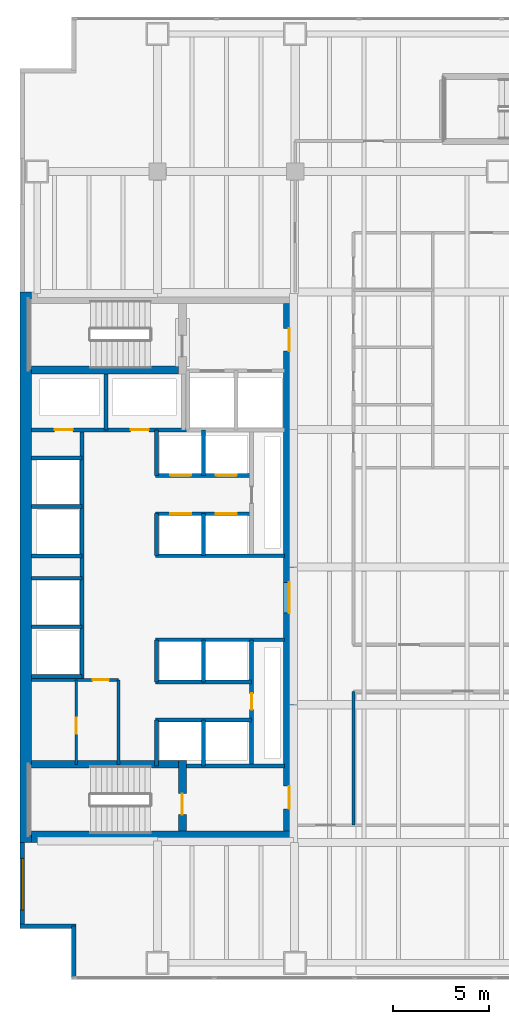
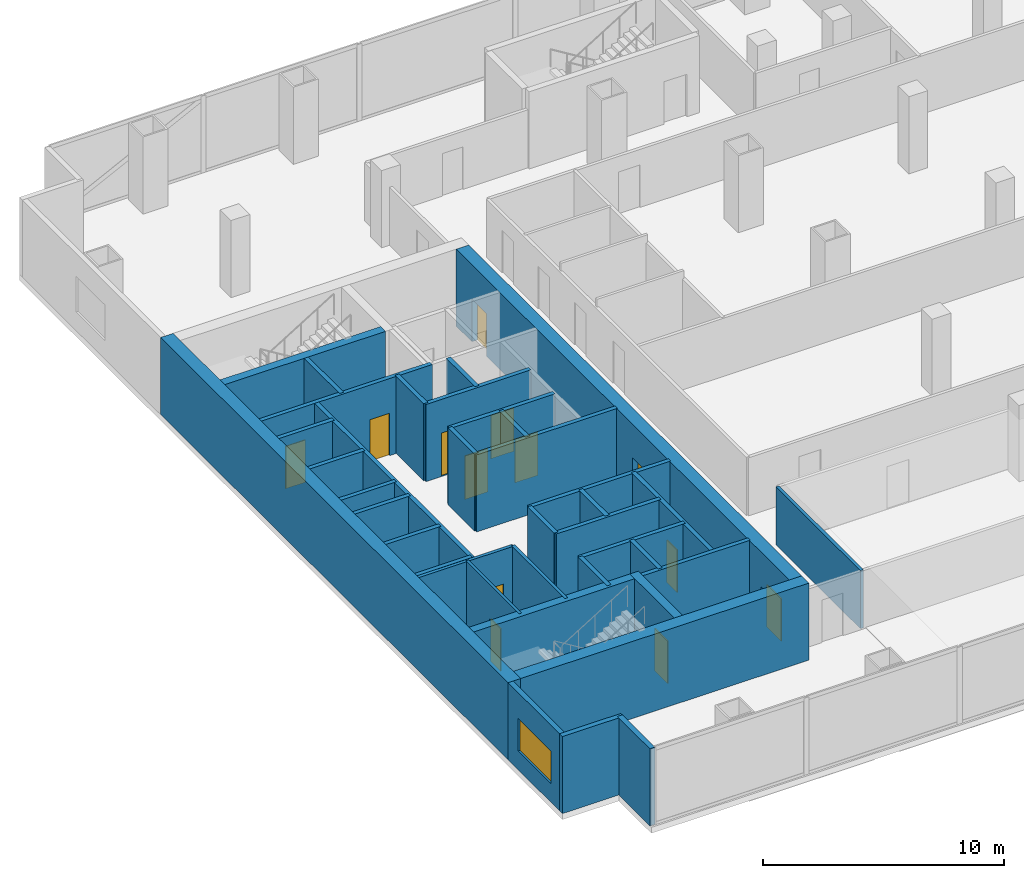
# One storey, part 26 of 34: 38 walls, 13 doors, 1 window, 14 openings.
"""IFC4 building model written with IfcOpenShell, lengths in metres."""

from ifc_helpers import new_model, si_unit, direction, frame, frame_2d, origin, place, context, subcontext, project, spatial, rectangle, extrude, material, layer, layer_set, type_object, element, fill, save


model = new_model("IFC4")

# Units and contexts
model_context = context("Model", 3, precision=1e-05, world=origin(), true_north=direction((0.0, 1.0)))
body_context = subcontext(model_context, "Body", "Model", "MODEL_VIEW")
ifc_project = project(units=[si_unit("LENGTHUNIT", "METRE"), si_unit("AREAUNIT", "SQUARE_METRE"), si_unit("VOLUMEUNIT", "CUBIC_METRE"), si_unit("PLANEANGLEUNIT", "RADIAN"), si_unit("MASSUNIT", "GRAM", prefix="KILO")], contexts=[model_context])

# Site, building, storey
site_placement = place(None, origin())
site = spatial("IfcSite", under=ifc_project, at=site_placement, CompositionType="ELEMENT")
building_placement = place(site_placement, origin())
building = spatial("IfcBuilding", under=site, at=building_placement, Name="Cobrela Telecom Tower", CompositionType="ELEMENT")
storey_placement = place(building_placement, frame((0.0, 0.0, 5.25)))
storey = spatial("IfcBuildingStorey", under=building, at=storey_placement, Name="L01", CompositionType="ELEMENT", Elevation=5.25)

# Walls
ifc_material_1 = material(Name="Concrete C50/60", Category="concrete")
ifc_layer_1 = layer(ifc_material_1, 0.60009765625)
ifc_layer_set_1 = layer_set([ifc_layer_1], Name="Concrete C50/60")
wall_type_1 = type_object("IfcWallType", Name="WALL-CORE-C50-600", PredefinedType="SHEAR", material=ifc_layer_set_1)
wall_1_placement = place(storey_placement, frame((0.300048828125, 7.199951171875, 0.0), z_axis=(0.0, 0.0, 1.0), x_axis=(0.0, 1.0, 0.0)))
element("IfcWall", 1, at=wall_1_placement, inside=storey, type_object=wall_type_1, Name="L01 West Core Shear Wall", PredefinedType="SHEAR", context=body_context, shape_type="SweptSolid", body=[
    extrude(rectangle(XDim=28.800048828125, YDim=0.60009765625, at=frame_2d((14.39990234375, 0.0))), origin(), (0.0, 0.0, 1.0), 3.89990234375),
])
wall_2_placement = place(storey_placement, frame((0.60009765625, 7.5, 0.0), z_axis=(0.0, 0.0, 1.0), x_axis=(1.0, 0.0, 0.0)))
element("IfcWall", 2, at=wall_2_placement, inside=storey, type_object=wall_type_1, Name="L01 South Core Shear Wall", PredefinedType="SHEAR", context=body_context, shape_type="SweptSolid", body=[
    extrude(rectangle(XDim=13.7998046875, YDim=0.60009765625, at=frame_2d((6.89990234375, 0.0))), origin(), (0.0, 0.0, 1.0), 3.89990234375),
])

# Wall, openings, doors
wall_3_placement = place(storey_placement, frame((14.10009765625, 35.39990234375, 0.0), z_axis=(0.0, 0.0, 1.0), x_axis=(0.0, -1.0, 0.0)))
wall_3 = element("IfcWall", 3, at=wall_3_placement, inside=storey, type_object=wall_type_1, Name="L01 East Core Shear Wall", PredefinedType="SHEAR", context=body_context, shape_type="SweptSolid", body=[
    extrude(rectangle(XDim=27.599853515625, YDim=0.60009765625, at=frame_2d((13.7998046875, 0.0))), origin(), (0.0, 0.0, 1.0), 3.89990234375),
])
opening_1_placement = place(wall_3_placement, frame((1.300048828125, 0.0, 0.0)))
opening_1 = element("IfcOpeningElement", 4, at=opening_1_placement, cuts=wall_3, Name="Opening DR-19", PredefinedType="OPENING", context=body_context, shape_type="SweptSolid", body=[
    extrude(rectangle(XDim=1.199951171875, YDim=2.14990234375, at=frame_2d((0.60009765625, 1.074951171875))), frame((0.0, 0.31201171875, 0.0), z_axis=(0.0, -1.0, 0.0), x_axis=(1.0, 0.0, 0.0)), (0.0, 0.0, 1.0), 0.6240234375),
])
opening_2_placement = place(wall_3_placement, frame((25.25, 0.0, 0.0)))
opening_2 = element("IfcOpeningElement", 5, at=opening_2_placement, cuts=wall_3, Name="Opening DR-19", PredefinedType="OPENING", context=body_context, shape_type="SweptSolid", body=[
    extrude(rectangle(XDim=1.199951171875, YDim=2.14990234375, at=frame_2d((0.60009765625, 1.074951171875))), frame((0.0, 0.31201171875, 0.0), z_axis=(0.0, -1.0, 0.0), x_axis=(1.0, 0.0, 0.0)), (0.0, 0.0, 1.0), 0.6240234375),
])
opening_3_placement = place(wall_3_placement, frame((14.60009765625, 0.0, 0.0)))
opening_3 = element("IfcOpeningElement", 6, at=opening_3_placement, cuts=wall_3, Name="Opening DR-51", PredefinedType="OPENING", context=body_context, shape_type="SweptSolid", body=[
    extrude(rectangle(XDim=1.60009765625, YDim=2.199951171875, at=frame_2d((0.800048828125, 1.10009765625))), frame((0.0, 0.31201171875, 0.0), z_axis=(0.0, -1.0, 0.0), x_axis=(1.0, 0.0, 0.0)), (0.0, 0.0, 1.0), 0.6240234375),
])
ifc_material_2 = material(Name="Steel ASTM A36", Category="steel")
door_type_1 = type_object("IfcDoorType", Name="DOOR-FD60-1200", OperationType="SINGLE_SWING_LEFT", PredefinedType="DOOR", material=ifc_material_2)
door_1_placement = place(opening_1_placement, origin())
door_1 = element("IfcDoor", 7, at=door_1_placement, inside=storey, type_object=door_type_1, Name="L01 Door DR-19", OperationType="SINGLE_SWING_LEFT", OverallHeight=2.14990234375, OverallWidth=1.199951171875, PredefinedType="DOOR", context=body_context, shape_type="SweptSolid", body=[
    extrude(rectangle(XDim=1.199951171875, YDim=2.14990234375, at=frame_2d((0.60009765625, 1.074951171875))), frame((0.0, 0.02490234375, 0.0), z_axis=(0.0, -1.0, 0.0), x_axis=(1.0, 0.0, 0.0)), (0.0, 0.0, 1.0), 0.050048828125),
])
fill(opening_1, door_1)
door_2_placement = place(opening_2_placement, origin())
door_2 = element("IfcDoor", 8, at=door_2_placement, inside=storey, type_object=door_type_1, Name="L01 Door DR-19", OperationType="SINGLE_SWING_RIGHT", OverallHeight=2.14990234375, OverallWidth=1.199951171875, PredefinedType="DOOR", context=body_context, shape_type="SweptSolid", body=[
    extrude(rectangle(XDim=1.199951171875, YDim=2.14990234375, at=frame_2d((0.60009765625, 1.074951171875))), frame((0.0, 0.02490234375, 0.0), z_axis=(0.0, -1.0, 0.0), x_axis=(1.0, 0.0, 0.0)), (0.0, 0.0, 1.0), 0.050048828125),
])
fill(opening_2, door_2)
door_type_2 = type_object("IfcDoorType", Name="DOOR-FD60-1600", OperationType="SINGLE_SWING_LEFT", PredefinedType="DOOR", material=ifc_material_2)
door_3_placement = place(opening_3_placement, origin())
door_3 = element("IfcDoor", 9, at=door_3_placement, inside=storey, type_object=door_type_2, Name="L01 Door DR-51", OperationType="DOUBLE_DOOR_SINGLE_SWING", OverallHeight=2.199951171875, OverallWidth=1.60009765625, PredefinedType="DOOR", context=body_context, shape_type="SweptSolid", body=[
    extrude(rectangle(XDim=1.60009765625, YDim=2.199951171875, at=frame_2d((0.800048828125, 1.10009765625))), frame((0.0, 0.02490234375, 0.0), z_axis=(0.0, -1.0, 0.0), x_axis=(1.0, 0.0, 0.0)), (0.0, 0.0, 1.0), 0.050048828125),
])
fill(opening_3, door_3)

# Walls
ifc_material_3 = material(Name="Concrete C40/50", Category="concrete")
ifc_layer_2 = layer(ifc_material_3, 0.239990234375)
ifc_layer_set_2 = layer_set([ifc_layer_2], Name="Concrete C40/50")
wall_type_2 = type_object("IfcWallType", Name="WALL-EXT-300", PredefinedType="STANDARD", material=ifc_layer_set_2)
wall_4_placement = place(storey_placement, frame((2.820068359375, 0.1201171875, 0.0), z_axis=(0.0, 0.0, 1.0), x_axis=(0.0, 1.0, 0.0)))
element("IfcWall", 10, at=wall_4_placement, inside=storey, type_object=wall_type_2, Name="L01 Insulated Facade Wall 01", PredefinedType="STANDARD", context=body_context, shape_type="SweptSolid", body=[
    extrude(rectangle(XDim=2.699951171875, YDim=0.239990234375, at=frame_2d((1.35009765625, 0.0))), origin(), (0.0, 0.0, 1.0), 3.89990234375),
])
wall_5_placement = place(storey_placement, frame((2.93994140625, 2.820068359375, 0.0), z_axis=(0.0, 0.0, 1.0), x_axis=(-1.0, 0.0, 0.0)))
element("IfcWall", 11, at=wall_5_placement, inside=storey, type_object=wall_type_2, Name="L01 Insulated Facade Wall 02", PredefinedType="STANDARD", context=body_context, shape_type="SweptSolid", body=[
    extrude(rectangle(XDim=2.93994140625, YDim=0.239990234375, at=frame_2d((1.469970703125, 0.0))), origin(), (0.0, 0.0, 1.0), 3.89990234375),
])

# Wall, opening, window
wall_6_placement = place(storey_placement, frame((0.1201171875, 2.820068359375, 0.0), z_axis=(0.0, 0.0, 1.0), x_axis=(0.0, 1.0, 0.0)))
wall_6 = element("IfcWall", 12, at=wall_6_placement, inside=storey, type_object=wall_type_2, Name="L01 Insulated Facade Wall 03", PredefinedType="STANDARD", context=body_context, shape_type="SweptSolid", body=[
    extrude(rectangle(XDim=4.3798828125, YDim=0.239990234375, at=frame_2d((2.18994140625, 0.0))), origin(), (0.0, 0.0, 1.0), 3.89990234375),
])
opening_4_placement = place(wall_6_placement, frame((0.840087890625, 0.0, 0.949951171875)))
opening_4 = element("IfcOpeningElement", 13, at=opening_4_placement, cuts=wall_6, Name="Opening WN-33", PredefinedType="OPENING", context=body_context, shape_type="SweptSolid", body=[
    extrude(rectangle(XDim=2.699951171875, YDim=1.64990234375, at=frame_2d((1.35009765625, 0.824951171875))), frame((0.0, 0.1318359375, 0.0), z_axis=(0.0, -1.0, 0.0), x_axis=(1.0, 0.0, 0.0)), (0.0, 0.0, 1.0), 0.263916015625),
])
ifc_material_4 = material(Name="Solar-Control Bronze Low-E Glass", Category="glass")
window_type = type_object("IfcWindowType", Name="WIN-MOD-2700", PartitioningType="SINGLE_PANEL", PredefinedType="WINDOW", material=ifc_material_4)
window_placement = place(opening_4_placement, origin())
window = element("IfcWindow", 14, at=window_placement, inside=storey, type_object=window_type, Name="L01 Modular Punched Facade Window 001", OverallHeight=1.64990234375, OverallWidth=2.699951171875, PartitioningType="SINGLE_PANEL", PredefinedType="WINDOW", context=body_context, shape_type="SweptSolid", body=[
    extrude(rectangle(XDim=2.699951171875, YDim=1.64990234375, at=frame_2d((1.35009765625, 0.824951171875))), frame((0.0, 0.030029296875, 0.0), z_axis=(0.0, -1.0, 0.0), x_axis=(1.0, 0.0, 0.0)), (0.0, 0.0, 1.0), 0.06005859375),
])
fill(opening_4, window)

# Wall, opening, door
ifc_material_5 = material(Name="Fire-Rated Gypsum Plasterboard")
ifc_layer_3 = layer(ifc_material_5, 0.125)
ifc_layer_set_3 = layer_set([ifc_layer_3], Name="Fire-Rated Gypsum Plasterboard")
wall_type_3 = type_object("IfcWallType", Name="WALL-PART-125", PredefinedType="PARTITIONING", material=ifc_layer_set_3)
wall_7_placement = place(storey_placement, frame((2.949951171875, 11.280029296875, 0.0), z_axis=(0.0, 0.0, 1.0), x_axis=(0.0, 1.0, 0.0)))
wall_7 = element("IfcWall", 15, at=wall_7_placement, inside=storey, type_object=wall_type_3, Name="L01 Interior Partition CW-FK1-V", PredefinedType="PARTITIONING", context=body_context, shape_type="SweptSolid", body=[
    extrude(rectangle(XDim=4.419921875, YDim=0.125, at=frame_2d((2.2099609375, 0.0))), origin(), (0.0, 0.0, 1.0), 3.89990234375),
])
opening_5_placement = place(wall_7_placement, frame((1.60009765625, 0.0, 0.0)))
opening_5 = element("IfcOpeningElement", 16, at=opening_5_placement, cuts=wall_7, Name="Opening DR-11", PredefinedType="OPENING", context=body_context, shape_type="SweptSolid", body=[
    extrude(rectangle(XDim=0.85009765625, YDim=2.14990234375, at=frame_2d((0.425048828125, 1.074951171875))), frame((0.0, 0.074462890625, 0.0), z_axis=(0.0, -1.0, 0.0), x_axis=(1.0, 0.0, 0.0)), (0.0, 0.0, 1.0), 0.14892578125),
])
ifc_material_6 = material(Name="Solid Engineered Oak Timber", Category="wood")
door_type_3 = type_object("IfcDoorType", Name="DOOR-INT-850", OperationType="SINGLE_SWING_LEFT", PredefinedType="DOOR", material=ifc_material_6)
door_4_placement = place(opening_5_placement, origin())
door_4 = element("IfcDoor", 17, at=door_4_placement, inside=storey, type_object=door_type_3, Name="L01 Door DR-11", OperationType="SINGLE_SWING_RIGHT", OverallHeight=2.14990234375, OverallWidth=0.85009765625, PredefinedType="DOOR", context=body_context, shape_type="SweptSolid", body=[
    extrude(rectangle(XDim=0.85009765625, YDim=2.14990234375, at=frame_2d((0.425048828125, 1.074951171875))), frame((0.0, 0.02490234375, 0.0), z_axis=(0.0, -1.0, 0.0), x_axis=(1.0, 0.0, 0.0)), (0.0, 0.0, 1.0), 0.050048828125),
])
fill(opening_5, door_4)

ifc_layer_4 = layer(ifc_material_5, 0.14990234375)
ifc_layer_set_4 = layer_set([ifc_layer_4], Name="Fire-Rated Gypsum Plasterboard")
wall_type_4 = type_object("IfcWallType", Name="WALL-PART-150", PredefinedType="PARTITIONING", material=ifc_layer_set_4)
wall_8_placement = place(storey_placement, frame((0.60009765625, 15.699951171875, 0.0), z_axis=(0.0, 0.0, 1.0), x_axis=(1.0, 0.0, 0.0)))
wall_8 = element("IfcWall", 18, at=wall_8_placement, inside=storey, type_object=wall_type_4, Name="L01 Interior Partition CW-FLEX-N", PredefinedType="PARTITIONING", context=body_context, shape_type="SweptSolid", body=[
    extrude(rectangle(XDim=4.5498046875, YDim=0.14990234375, at=frame_2d((2.27490234375, 0.0))), origin(), (0.0, 0.0, 1.0), 3.89990234375),
])
opening_6_placement = place(wall_8_placement, frame((3.199951171875, 0.0, 0.0)))
opening_6 = element("IfcOpeningElement", 19, at=opening_6_placement, cuts=wall_8, Name="Opening DR-11", PredefinedType="OPENING", context=body_context, shape_type="SweptSolid", body=[
    extrude(rectangle(XDim=0.85009765625, YDim=2.14990234375, at=frame_2d((0.425048828125, 1.074951171875))), frame((0.0, 0.0869140625, 0.0), z_axis=(0.0, -1.0, 0.0), x_axis=(1.0, 0.0, 0.0)), (0.0, 0.0, 1.0), 0.173828125),
])
door_5_placement = place(opening_6_placement, origin())
door_5 = element("IfcDoor", 20, at=door_5_placement, inside=storey, type_object=door_type_3, Name="L01 Door DR-11", OperationType="SINGLE_SWING_LEFT", OverallHeight=2.14990234375, OverallWidth=0.85009765625, PredefinedType="DOOR", context=body_context, shape_type="SweptSolid", body=[
    extrude(rectangle(XDim=0.85009765625, YDim=2.14990234375, at=frame_2d((0.425048828125, 1.074951171875))), frame((0.0, 0.02490234375, 0.0), z_axis=(0.0, -1.0, 0.0), x_axis=(1.0, 0.0, 0.0)), (0.0, 0.0, 1.0), 0.050048828125),
])
fill(opening_6, door_5)

# Walls
wall_9_placement = place(storey_placement, frame((5.14990234375, 11.280029296875, 0.0), z_axis=(0.0, 0.0, 1.0), x_axis=(0.0, 1.0, 0.0)))
element("IfcWall", 21, at=wall_9_placement, inside=storey, type_object=wall_type_4, Name="L01 Interior Partition CW-FLEX-E", PredefinedType="PARTITIONING", context=body_context, shape_type="SweptSolid", body=[
    extrude(rectangle(XDim=4.419921875, YDim=0.14990234375, at=frame_2d((2.2099609375, 0.0))), origin(), (0.0, 0.0, 1.0), 3.89990234375),
])
wall_10_placement = place(storey_placement, frame((17.449951171875, 8.10009765625, 0.0), z_axis=(0.0, 0.0, 1.0), x_axis=(0.0, 1.0, 0.0)))
element("IfcWall", 22, at=wall_10_placement, inside=storey, type_object=wall_type_4, Name="L01 Interior Partition W-PC-E1", PredefinedType="PARTITIONING", context=body_context, shape_type="SweptSolid", body=[
    extrude(rectangle(XDim=7.0, YDim=0.14990234375, at=frame_2d((3.5, 0.0))), origin(), (0.0, 0.0, 1.0), 2.93798828125),
])
ifc_layer_5 = layer(ifc_material_5, 0.199951171875)
ifc_layer_set_5 = layer_set([ifc_layer_5], Name="Fire-Rated Gypsum Plasterboard")
wall_type_5 = type_object("IfcWallType", Name="WALL-SHAFT-200", PredefinedType="PARTITIONING", material=ifc_layer_set_5)
wall_11_placement = place(storey_placement, frame((8.699951171875, 11.199951171875, 0.0), z_axis=(0.0, 0.0, 1.0), x_axis=(1.0, 0.0, 0.0)))
element("IfcWall", 23, at=wall_11_placement, inside=storey, type_object=wall_type_5, Name="L01 Shaft Enclosure CW-ST2L-N", PredefinedType="PARTITIONING", context=body_context, shape_type="SweptSolid", body=[
    extrude(rectangle(XDim=5.150146484375, YDim=0.199951171875, at=frame_2d((2.5751953125, 0.0))), origin(), (0.0, 0.0, 1.0), 3.89990234375),
])

# Wall, openings, doors
wall_12_placement = place(storey_placement, frame((0.60009765625, 28.780029296875, 0.0), z_axis=(0.0, 0.0, 1.0), x_axis=(1.0, 0.0, 0.0)))
wall_12 = element("IfcWall", 24, at=wall_12_placement, inside=storey, type_object=wall_type_5, Name="L01 Shaft Enclosure CW-RIS-S", PredefinedType="PARTITIONING", context=body_context, shape_type="SweptSolid", body=[
    extrude(rectangle(XDim=8.179931640625, YDim=0.199951171875, at=frame_2d((4.08984375, 0.0))), origin(), (0.0, 0.0, 1.0), 3.89990234375),
])
opening_7_placement = place(wall_12_placement, frame((1.2099609375, 0.0, 0.0)))
opening_7 = element("IfcOpeningElement", 25, at=opening_7_placement, cuts=wall_12, Name="Opening DR-65", PredefinedType="OPENING", context=body_context, shape_type="SweptSolid", body=[
    extrude(rectangle(XDim=0.949951171875, YDim=2.14990234375, at=frame_2d((0.47509765625, 1.074951171875))), frame((0.0, 0.11181640625, 0.0), z_axis=(0.0, -1.0, 0.0), x_axis=(1.0, 0.0, 0.0)), (0.0, 0.0, 1.0), 0.223876953125),
])
opening_8_placement = place(wall_12_placement, frame((5.18994140625, 0.0, 0.0)))
opening_8 = element("IfcOpeningElement", 26, at=opening_8_placement, cuts=wall_12, Name="Opening DR-65", PredefinedType="OPENING", context=body_context, shape_type="SweptSolid", body=[
    extrude(rectangle(XDim=0.949951171875, YDim=2.14990234375, at=frame_2d((0.47509765625, 1.074951171875))), frame((0.0, 0.11181640625, 0.0), z_axis=(0.0, -1.0, 0.0), x_axis=(1.0, 0.0, 0.0)), (0.0, 0.0, 1.0), 0.223876953125),
])
door_type_4 = type_object("IfcDoorType", Name="DOOR-FD60-950", OperationType="SINGLE_SWING_LEFT", PredefinedType="DOOR", material=ifc_material_2)
door_6_placement = place(opening_7_placement, origin())
door_6 = element("IfcDoor", 27, at=door_6_placement, inside=storey, type_object=door_type_4, Name="L01 Door DR-65", OperationType="SINGLE_SWING_LEFT", OverallHeight=2.14990234375, OverallWidth=0.949951171875, PredefinedType="DOOR", context=body_context, shape_type="SweptSolid", body=[
    extrude(rectangle(XDim=0.949951171875, YDim=2.14990234375, at=frame_2d((0.47509765625, 1.074951171875))), frame((0.0, 0.02490234375, 0.0), z_axis=(0.0, -1.0, 0.0), x_axis=(1.0, 0.0, 0.0)), (0.0, 0.0, 1.0), 0.050048828125),
])
fill(opening_7, door_6)
door_7_placement = place(opening_8_placement, origin())
door_7 = element("IfcDoor", 28, at=door_7_placement, inside=storey, type_object=door_type_4, Name="L01 Door DR-65", OperationType="SINGLE_SWING_RIGHT", OverallHeight=2.14990234375, OverallWidth=0.949951171875, PredefinedType="DOOR", context=body_context, shape_type="SweptSolid", body=[
    extrude(rectangle(XDim=0.949951171875, YDim=2.14990234375, at=frame_2d((0.47509765625, 1.074951171875))), frame((0.0, 0.02490234375, 0.0), z_axis=(0.0, -1.0, 0.0), x_axis=(1.0, 0.0, 0.0)), (0.0, 0.0, 1.0), 0.050048828125),
])
fill(opening_8, door_7)

# Walls
wall_13_placement = place(storey_placement, frame((4.5, 28.780029296875, 0.0), z_axis=(0.0, 0.0, 1.0), x_axis=(0.0, 1.0, 0.0)))
element("IfcWall", 29, at=wall_13_placement, inside=storey, type_object=wall_type_5, Name="L01 Shaft Enclosure CW-RIS-M", PredefinedType="PARTITIONING", context=body_context, shape_type="SweptSolid", body=[
    extrude(rectangle(XDim=2.93994140625, YDim=0.199951171875, at=frame_2d((1.469970703125, 0.0))), origin(), (0.0, 0.0, 1.0), 3.89990234375),
])
wall_14_placement = place(storey_placement, frame((3.25, 15.699951171875, 0.0), z_axis=(0.0, 0.0, 1.0), x_axis=(0.0, 1.0, 0.0)))
element("IfcWall", 30, at=wall_14_placement, inside=storey, type_object=wall_type_5, Name="L01 Shaft Enclosure CW-PLH-E", PredefinedType="PARTITIONING", context=body_context, shape_type="SweptSolid", body=[
    extrude(rectangle(XDim=13.080078125, YDim=0.199951171875, at=frame_2d((6.5400390625, 0.0))), origin(), (0.0, 0.0, 1.0), 3.89990234375),
])
for number, where, z_axis, x_axis, name in (
    (31, (0.60009765625, 15.8798828125, 0.0), (0.0, 0.0, 1.0), (1.0, 0.0, 0.0), "L01 Shaft Enclosure CW-PLH-D9"),
    (32, (0.60009765625, 18.47998046875, 0.0), (0.0, 0.0, 1.0), (1.0, 0.0, 0.0), "L01 Shaft Enclosure CW-PLH-D10"),
    (33, (0.60009765625, 22.179931640625, 0.0), (0.0, 0.0, 1.0), (1.0, 0.0, 0.0), "L01 Shaft Enclosure CW-PLH-D11"),
    (34, (0.60009765625, 24.780029296875, 0.0), (0.0, 0.0, 1.0), (1.0, 0.0, 0.0), "L01 Shaft Enclosure CW-PLH-D12"),
    (35, (0.60009765625, 21.02001953125, 0.0), (0.0, 0.0, 1.0), (1.0, 0.0, 0.0), "L01 Shaft Enclosure CW-PLH-MID"),
    (36, (0.60009765625, 27.320068359375, 0.0), (0.0, 0.0, 1.0), (1.0, 0.0, 0.0), "L01 Shaft Enclosure CW-PLH-TOP"),
):
    element("IfcWall", number, at=place(storey_placement, frame(where, z_axis=z_axis, x_axis=x_axis)), inside=storey, type_object=wall_type_5, Name=name, PredefinedType="PARTITIONING", context=body_context, shape_type="SweptSolid", body=[
        extrude(rectangle(XDim=2.64990234375, YDim=0.199951171875, at=frame_2d((1.324951171875, 0.0))), origin(), (0.0, 0.0, 1.0), 3.89990234375),
    ])
wall_15_placement = place(storey_placement, frame((7.10009765625, 22.199951171875, 0.0), z_axis=(0.0, 0.0, 1.0), x_axis=(1.0, 0.0, 0.0)))
element("IfcWall", 37, at=wall_15_placement, inside=storey, type_object=wall_type_5, Name="L01 Shaft Enclosure CW-PLL-B0", PredefinedType="PARTITIONING", context=body_context, shape_type="SweptSolid", body=[
    extrude(rectangle(XDim=6.75, YDim=0.199951171875, at=frame_2d((3.375, 0.0))), origin(), (0.0, 0.0, 1.0), 3.89990234375),
])

# Wall, openings, doors
wall_16_placement = place(storey_placement, frame((7.10009765625, 24.39990234375, 0.0), z_axis=(0.0, 0.0, 1.0), x_axis=(1.0, 0.0, 0.0)))
wall_16 = element("IfcWall", 38, at=wall_16_placement, inside=storey, type_object=wall_type_5, Name="L01 Shaft Enclosure CW-PLL-S", PredefinedType="PARTITIONING", context=body_context, shape_type="SweptSolid", body=[
    extrude(rectangle(XDim=5.02001953125, YDim=0.199951171875, at=frame_2d((2.510009765625, 0.0))), origin(), (0.0, 0.0, 1.0), 3.89990234375),
])
opening_9_placement = place(wall_16_placement, frame((0.75, 0.0, 0.0)))
opening_9 = element("IfcOpeningElement", 39, at=opening_9_placement, cuts=wall_16, Name="Opening LD-1", PredefinedType="OPENING", context=body_context, shape_type="SweptSolid", body=[
    extrude(rectangle(XDim=1.10009765625, YDim=2.199951171875, at=frame_2d((0.550048828125, 1.10009765625))), frame((0.0, 0.11181640625, 0.0), z_axis=(0.0, -1.0, 0.0), x_axis=(1.0, 0.0, 0.0)), (0.0, 0.0, 1.0), 0.223876953125),
])
opening_10_placement = place(wall_16_placement, frame((3.14990234375, 0.0, 0.0)))
opening_10 = element("IfcOpeningElement", 40, at=opening_10_placement, cuts=wall_16, Name="Opening LD-1", PredefinedType="OPENING", context=body_context, shape_type="SweptSolid", body=[
    extrude(rectangle(XDim=1.10009765625, YDim=2.199951171875, at=frame_2d((0.550048828125, 1.10009765625))), frame((0.0, 0.11181640625, 0.0), z_axis=(0.0, -1.0, 0.0), x_axis=(1.0, 0.0, 0.0)), (0.0, 0.0, 1.0), 0.223876953125),
])
door_type_5 = type_object("IfcDoorType", Name="DOOR-LD-PL", OperationType="SINGLE_SWING_LEFT", PredefinedType="DOOR", material=ifc_material_2)
door_8_placement = place(opening_9_placement, origin())
door_8 = element("IfcDoor", 41, at=door_8_placement, inside=storey, type_object=door_type_5, Name="L01 Lift Landing Door LD-1", OperationType="DOUBLE_DOOR_SLIDING", OverallHeight=2.199951171875, OverallWidth=1.10009765625, PredefinedType="DOOR", context=body_context, shape_type="SweptSolid", body=[
    extrude(rectangle(XDim=1.10009765625, YDim=2.199951171875, at=frame_2d((0.550048828125, 1.10009765625))), frame((0.0, 0.02490234375, 0.0), z_axis=(0.0, -1.0, 0.0), x_axis=(1.0, 0.0, 0.0)), (0.0, 0.0, 1.0), 0.050048828125),
])
fill(opening_9, door_8)
door_9_placement = place(opening_10_placement, origin())
door_9 = element("IfcDoor", 42, at=door_9_placement, inside=storey, type_object=door_type_5, Name="L01 Lift Landing Door LD-1", OperationType="DOUBLE_DOOR_SLIDING", OverallHeight=2.199951171875, OverallWidth=1.10009765625, PredefinedType="DOOR", context=body_context, shape_type="SweptSolid", body=[
    extrude(rectangle(XDim=1.10009765625, YDim=2.199951171875, at=frame_2d((0.550048828125, 1.10009765625))), frame((0.0, 0.02490234375, 0.0), z_axis=(0.0, -1.0, 0.0), x_axis=(1.0, 0.0, 0.0)), (0.0, 0.0, 1.0), 0.050048828125),
])
fill(opening_10, door_9)

wall_17_placement = place(storey_placement, frame((7.10009765625, 26.39990234375, 0.0), z_axis=(0.0, 0.0, 1.0), x_axis=(1.0, 0.0, 0.0)))
wall_17 = element("IfcWall", 43, at=wall_17_placement, inside=storey, type_object=wall_type_5, Name="L01 Shaft Enclosure CW-PLL-N", PredefinedType="PARTITIONING", context=body_context, shape_type="SweptSolid", body=[
    extrude(rectangle(XDim=5.02001953125, YDim=0.199951171875, at=frame_2d((2.510009765625, 0.0))), origin(), (0.0, 0.0, 1.0), 3.89990234375),
])
opening_11_placement = place(wall_17_placement, frame((0.75, 0.0, 0.0)))
opening_11 = element("IfcOpeningElement", 44, at=opening_11_placement, cuts=wall_17, Name="Opening LD-1", PredefinedType="OPENING", context=body_context, shape_type="SweptSolid", body=[
    extrude(rectangle(XDim=1.10009765625, YDim=2.199951171875, at=frame_2d((0.550048828125, 1.10009765625))), frame((0.0, 0.11181640625, 0.0), z_axis=(0.0, -1.0, 0.0), x_axis=(1.0, 0.0, 0.0)), (0.0, 0.0, 1.0), 0.223876953125),
])
opening_12_placement = place(wall_17_placement, frame((3.14990234375, 0.0, 0.0)))
opening_12 = element("IfcOpeningElement", 45, at=opening_12_placement, cuts=wall_17, Name="Opening LD-1", PredefinedType="OPENING", context=body_context, shape_type="SweptSolid", body=[
    extrude(rectangle(XDim=1.10009765625, YDim=2.199951171875, at=frame_2d((0.550048828125, 1.10009765625))), frame((0.0, 0.11181640625, 0.0), z_axis=(0.0, -1.0, 0.0), x_axis=(1.0, 0.0, 0.0)), (0.0, 0.0, 1.0), 0.223876953125),
])
door_10_placement = place(opening_11_placement, origin())
door_10 = element("IfcDoor", 46, at=door_10_placement, inside=storey, type_object=door_type_5, Name="L01 Lift Landing Door LD-1", OperationType="DOUBLE_DOOR_SLIDING", OverallHeight=2.199951171875, OverallWidth=1.10009765625, PredefinedType="DOOR", context=body_context, shape_type="SweptSolid", body=[
    extrude(rectangle(XDim=1.10009765625, YDim=2.199951171875, at=frame_2d((0.550048828125, 1.10009765625))), frame((0.0, 0.02490234375, 0.0), z_axis=(0.0, -1.0, 0.0), x_axis=(1.0, 0.0, 0.0)), (0.0, 0.0, 1.0), 0.050048828125),
])
fill(opening_11, door_10)
door_11_placement = place(opening_12_placement, origin())
door_11 = element("IfcDoor", 47, at=door_11_placement, inside=storey, type_object=door_type_5, Name="L01 Lift Landing Door LD-1", OperationType="DOUBLE_DOOR_SLIDING", OverallHeight=2.199951171875, OverallWidth=1.10009765625, PredefinedType="DOOR", context=body_context, shape_type="SweptSolid", body=[
    extrude(rectangle(XDim=1.10009765625, YDim=2.199951171875, at=frame_2d((0.550048828125, 1.10009765625))), frame((0.0, 0.02490234375, 0.0), z_axis=(0.0, -1.0, 0.0), x_axis=(1.0, 0.0, 0.0)), (0.0, 0.0, 1.0), 0.050048828125),
])
fill(opening_12, door_11)

# Walls
wall_18_placement = place(storey_placement, frame((7.14990234375, 22.199951171875, 0.0), z_axis=(0.0, 0.0, 1.0), x_axis=(0.0, 1.0, 0.0)))
element("IfcWall", 48, at=wall_18_placement, inside=storey, type_object=wall_type_5, Name="L01 Shaft Enclosure CW-PLL-V1", PredefinedType="PARTITIONING", context=body_context, shape_type="SweptSolid", body=[
    extrude(rectangle(XDim=2.199951171875, YDim=0.199951171875, at=frame_2d((1.10009765625, 0.0))), origin(), (0.0, 0.0, 1.0), 3.89990234375),
])
wall_19_placement = place(storey_placement, frame((7.14990234375, 26.39990234375, 0.0), z_axis=(0.0, 0.0, 1.0), x_axis=(0.0, 1.0, 0.0)))
element("IfcWall", 49, at=wall_19_placement, inside=storey, type_object=wall_type_5, Name="L01 Shaft Enclosure CW-PLL-V1B", PredefinedType="PARTITIONING", context=body_context, shape_type="SweptSolid", body=[
    extrude(rectangle(XDim=2.380126953125, YDim=0.199951171875, at=frame_2d((1.18994140625, 0.0))), origin(), (0.0, 0.0, 1.0), 3.89990234375),
])
wall_20_placement = place(storey_placement, frame((9.60009765625, 22.199951171875, 0.0), z_axis=(0.0, 0.0, 1.0), x_axis=(0.0, 1.0, 0.0)))
element("IfcWall", 50, at=wall_20_placement, inside=storey, type_object=wall_type_5, Name="L01 Shaft Enclosure CW-PLL-V2", PredefinedType="PARTITIONING", context=body_context, shape_type="SweptSolid", body=[
    extrude(rectangle(XDim=2.199951171875, YDim=0.199951171875, at=frame_2d((1.10009765625, 0.0))), origin(), (0.0, 0.0, 1.0), 3.89990234375),
])
wall_21_placement = place(storey_placement, frame((9.60009765625, 26.39990234375, 0.0), z_axis=(0.0, 0.0, 1.0), x_axis=(0.0, 1.0, 0.0)))
element("IfcWall", 51, at=wall_21_placement, inside=storey, type_object=wall_type_5, Name="L01 Shaft Enclosure CW-PLL-V2B", PredefinedType="PARTITIONING", context=body_context, shape_type="SweptSolid", body=[
    extrude(rectangle(XDim=2.380126953125, YDim=0.199951171875, at=frame_2d((1.18994140625, 0.0))), origin(), (0.0, 0.0, 1.0), 3.89990234375),
])
wall_22_placement = place(storey_placement, frame((7.10009765625, 17.800048828125, 0.0), z_axis=(0.0, 0.0, 1.0), x_axis=(1.0, 0.0, 0.0)))
element("IfcWall", 52, at=wall_22_placement, inside=storey, type_object=wall_type_5, Name="L01 Shaft Enclosure CW-PLM-T0", PredefinedType="PARTITIONING", context=body_context, shape_type="SweptSolid", body=[
    extrude(rectangle(XDim=6.75, YDim=0.199951171875, at=frame_2d((3.375, 0.0))), origin(), (0.0, 0.0, 1.0), 3.89990234375),
])
for number, where, z_axis, x_axis, name in (
    (53, (7.10009765625, 15.60009765625, 0.0), (0.0, 0.0, 1.0), (1.0, 0.0, 0.0), "L01 Shaft Enclosure CW-PLM-N"),
    (54, (7.10009765625, 13.60009765625, 0.0), (0.0, 0.0, 1.0), (1.0, 0.0, 0.0), "L01 Shaft Enclosure CW-PLM-S"),
):
    element("IfcWall", number, at=place(storey_placement, frame(where, z_axis=z_axis, x_axis=x_axis)), inside=storey, type_object=wall_type_5, Name=name, PredefinedType="PARTITIONING", context=body_context, shape_type="SweptSolid", body=[
        extrude(rectangle(XDim=5.02001953125, YDim=0.199951171875, at=frame_2d((2.510009765625, 0.0))), origin(), (0.0, 0.0, 1.0), 3.89990234375),
    ])
wall_23_placement = place(storey_placement, frame((7.14990234375, 15.60009765625, 0.0), z_axis=(0.0, 0.0, 1.0), x_axis=(0.0, 1.0, 0.0)))
element("IfcWall", 55, at=wall_23_placement, inside=storey, type_object=wall_type_5, Name="L01 Shaft Enclosure CW-PLM-V1", PredefinedType="PARTITIONING", context=body_context, shape_type="SweptSolid", body=[
    extrude(rectangle(XDim=2.199951171875, YDim=0.199951171875, at=frame_2d((1.10009765625, 0.0))), origin(), (0.0, 0.0, 1.0), 3.89990234375),
])
wall_24_placement = place(storey_placement, frame((7.14990234375, 11.199951171875, 0.0), z_axis=(0.0, 0.0, 1.0), x_axis=(0.0, 1.0, 0.0)))
element("IfcWall", 56, at=wall_24_placement, inside=storey, type_object=wall_type_5, Name="L01 Shaft Enclosure CW-PLM-V1B", PredefinedType="PARTITIONING", context=body_context, shape_type="SweptSolid", body=[
    extrude(rectangle(XDim=2.400146484375, YDim=0.199951171875, at=frame_2d((1.2001953125, 0.0))), origin(), (0.0, 0.0, 1.0), 3.89990234375),
])
wall_25_placement = place(storey_placement, frame((9.60009765625, 15.60009765625, 0.0), z_axis=(0.0, 0.0, 1.0), x_axis=(0.0, 1.0, 0.0)))
element("IfcWall", 57, at=wall_25_placement, inside=storey, type_object=wall_type_5, Name="L01 Shaft Enclosure CW-PLM-V2", PredefinedType="PARTITIONING", context=body_context, shape_type="SweptSolid", body=[
    extrude(rectangle(XDim=2.199951171875, YDim=0.199951171875, at=frame_2d((1.10009765625, 0.0))), origin(), (0.0, 0.0, 1.0), 3.89990234375),
])
wall_26_placement = place(storey_placement, frame((9.60009765625, 11.199951171875, 0.0), z_axis=(0.0, 0.0, 1.0), x_axis=(0.0, 1.0, 0.0)))
element("IfcWall", 58, at=wall_26_placement, inside=storey, type_object=wall_type_5, Name="L01 Shaft Enclosure CW-PLM-V2B", PredefinedType="PARTITIONING", context=body_context, shape_type="SweptSolid", body=[
    extrude(rectangle(XDim=2.400146484375, YDim=0.199951171875, at=frame_2d((1.2001953125, 0.0))), origin(), (0.0, 0.0, 1.0), 3.89990234375),
])

# Wall, opening, door
wall_27_placement = place(storey_placement, frame((12.1201171875, 11.199951171875, 0.0), z_axis=(0.0, 0.0, 1.0), x_axis=(0.0, 1.0, 0.0)))
wall_27 = element("IfcWall", 59, at=wall_27_placement, inside=storey, type_object=wall_type_5, Name="L01 Shaft Enclosure CW-PLM-V3", PredefinedType="PARTITIONING", context=body_context, shape_type="SweptSolid", body=[
    extrude(rectangle(XDim=6.60009765625, YDim=0.199951171875, at=frame_2d((3.300048828125, 0.0))), origin(), (0.0, 0.0, 1.0), 3.89990234375),
])
opening_13_placement = place(wall_27_placement, frame((2.949951171875, 0.0, 0.0)))
opening_13 = element("IfcOpeningElement", 60, at=opening_13_placement, cuts=wall_27, Name="Opening DR-11", PredefinedType="OPENING", context=body_context, shape_type="SweptSolid", body=[
    extrude(rectangle(XDim=0.85009765625, YDim=2.14990234375, at=frame_2d((0.425048828125, 1.074951171875))), frame((0.0, 0.11181640625, 0.0), z_axis=(0.0, -1.0, 0.0), x_axis=(1.0, 0.0, 0.0)), (0.0, 0.0, 1.0), 0.223876953125),
])
door_12_placement = place(opening_13_placement, origin())
door_12 = element("IfcDoor", 61, at=door_12_placement, inside=storey, type_object=door_type_3, Name="L01 Door DR-11", OperationType="SINGLE_SWING_RIGHT", OverallHeight=2.14990234375, OverallWidth=0.85009765625, PredefinedType="DOOR", context=body_context, shape_type="SweptSolid", body=[
    extrude(rectangle(XDim=0.85009765625, YDim=2.14990234375, at=frame_2d((0.425048828125, 1.074951171875))), frame((0.0, 0.02490234375, 0.0), z_axis=(0.0, -1.0, 0.0), x_axis=(1.0, 0.0, 0.0)), (0.0, 0.0, 1.0), 0.050048828125),
])
fill(opening_13, door_12)

# Walls
ifc_layer_6 = layer(ifc_material_3, 0.39990234375)
ifc_layer_set_6 = layer_set([ifc_layer_6], Name="Concrete C40/50")
wall_type_6 = type_object("IfcWallType", Name="WALL-SHAFT-C40-400", PredefinedType="SHEAR", material=ifc_layer_set_6)
for number, where, z_axis, x_axis, name in (
    (62, (0.60009765625, 31.919921875, 0.0), (0.0, 0.0, 1.0), (1.0, 0.0, 0.0), "L01 North Stair Shear Wall"),
    (63, (0.60009765625, 11.280029296875, 0.0), (0.0, 0.0, 1.0), (1.0, 0.0, 0.0), "L01 South Stair Shear Wall"),
):
    element("IfcWall", number, at=place(storey_placement, frame(where, z_axis=z_axis, x_axis=x_axis)), inside=storey, type_object=wall_type_6, Name=name, PredefinedType="SHEAR", context=body_context, shape_type="SweptSolid", body=[
        extrude(rectangle(XDim=7.699951171875, YDim=0.39990234375, at=frame_2d((3.85009765625, 0.0))), origin(), (0.0, 0.0, 1.0), 3.89990234375),
    ])

# Wall, opening, door
wall_28_placement = place(storey_placement, frame((8.5, 7.800048828125, 0.0), z_axis=(0.0, 0.0, 1.0), x_axis=(0.0, 1.0, 0.0)))
wall_28 = element("IfcWall", 64, at=wall_28_placement, inside=storey, type_object=wall_type_6, Name="L01 South Stair Lobby Shear Wall", PredefinedType="SHEAR", context=body_context, shape_type="SweptSolid", body=[
    extrude(rectangle(XDim=3.679931640625, YDim=0.39990234375, at=frame_2d((1.83984375, 0.0))), origin(), (0.0, 0.0, 1.0), 3.89990234375),
])
opening_14_placement = place(wall_28_placement, frame((0.85009765625, 0.0, 0.0)))
opening_14 = element("IfcOpeningElement", 65, at=opening_14_placement, cuts=wall_28, Name="Opening FD-90", PredefinedType="OPENING", context=body_context, shape_type="SweptSolid", body=[
    extrude(rectangle(XDim=1.10009765625, YDim=2.14990234375, at=frame_2d((0.550048828125, 1.074951171875))), frame((0.0, 0.2119140625, 0.0), z_axis=(0.0, -1.0, 0.0), x_axis=(1.0, 0.0, 0.0)), (0.0, 0.0, 1.0), 0.423828125),
])
door_type_6 = type_object("IfcDoorType", Name="DOOR-FD90-1100", OperationType="SINGLE_SWING_LEFT", PredefinedType="DOOR", material=ifc_material_2)
door_13_placement = place(opening_14_placement, origin())
door_13 = element("IfcDoor", 66, at=door_13_placement, inside=storey, type_object=door_type_6, Name="L01 Door FD-90", OperationType="SINGLE_SWING_LEFT", OverallHeight=2.14990234375, OverallWidth=1.10009765625, PredefinedType="DOOR", context=body_context, shape_type="SweptSolid", body=[
    extrude(rectangle(XDim=1.10009765625, YDim=2.14990234375, at=frame_2d((0.550048828125, 1.074951171875))), frame((0.0, 0.02490234375, 0.0), z_axis=(0.0, -1.0, 0.0), x_axis=(1.0, 0.0, 0.0)), (0.0, 0.0, 1.0), 0.050048828125),
])
fill(opening_14, door_13)

save(model, "model.ifc")
